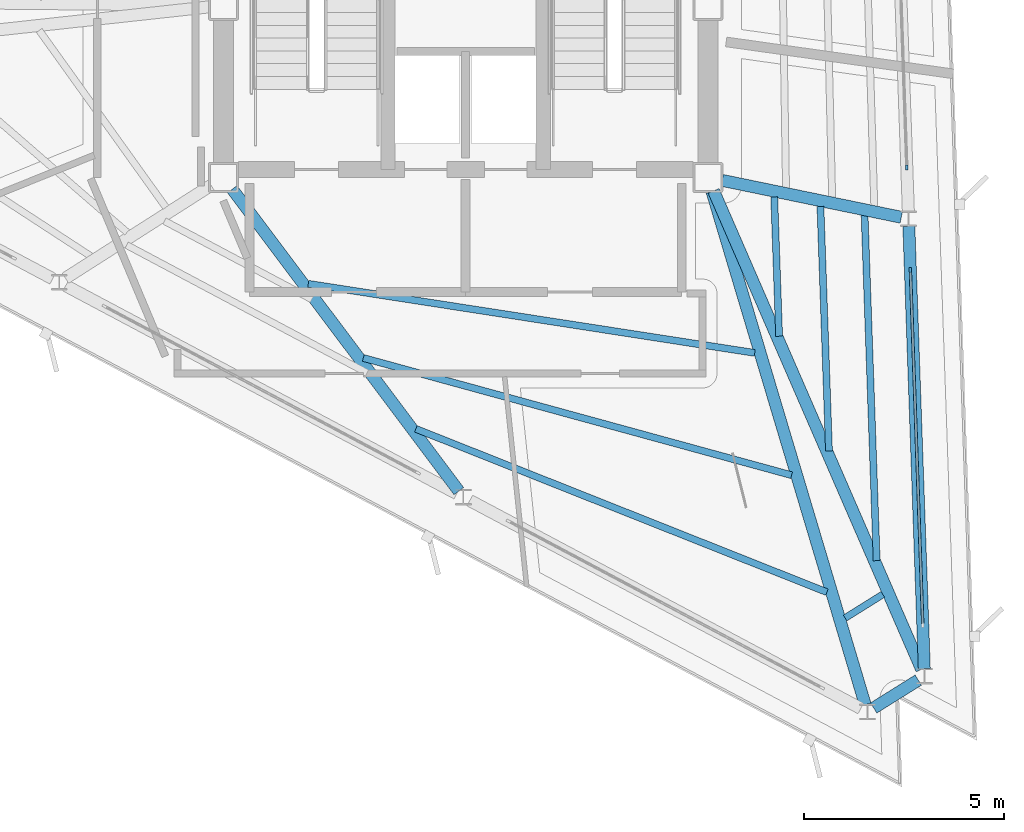
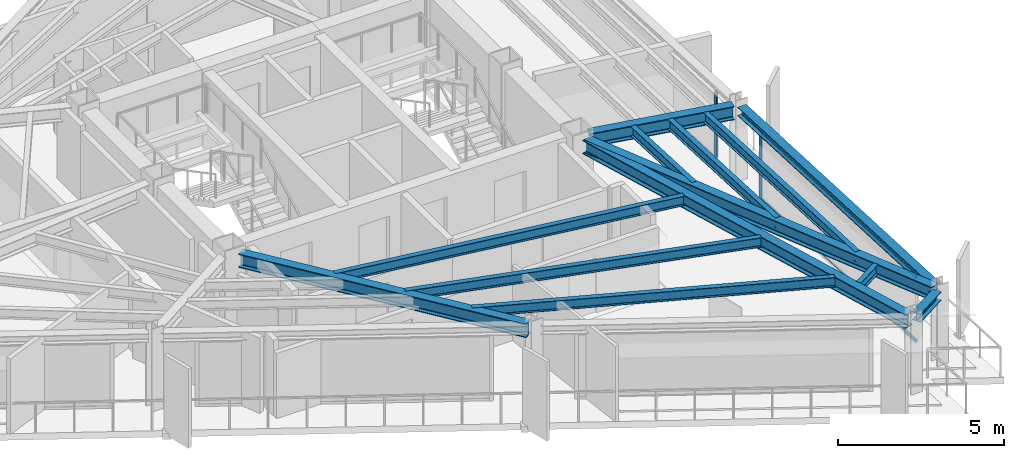
# One storey, part 3 of 13: 13 beams, 4 members, 2 elements without a shape of their own.
"""IFC4 building model written with IfcOpenShell, lengths in metres."""

from ifc_helpers import new_model, si_unit, direction, frame, origin, origin_2d, place, context, subcontext, project, spatial, rectangle, i_section, extrude, material, layer, layer_set, material_profile, profile_set, type_object, element, aggregate, save


model = new_model("IFC4")

# Units and contexts
model_context = context("Model", 3, precision=1e-05, world=origin(), true_north=direction((0.0, 1.0)))
body_context = subcontext(model_context, "Body", "Model", "MODEL_VIEW")
ifc_project = project(units=[si_unit("LENGTHUNIT", "METRE"), si_unit("AREAUNIT", "SQUARE_METRE"), si_unit("VOLUMEUNIT", "CUBIC_METRE"), si_unit("PLANEANGLEUNIT", "RADIAN"), si_unit("MASSUNIT", "GRAM", prefix="KILO")], contexts=[model_context])

# Site, building, storey
site_placement = place(None, origin())
site = spatial("IfcSite", under=ifc_project, at=site_placement, CompositionType="ELEMENT")
building_placement = place(site_placement, origin())
building = spatial("IfcBuilding", under=site, at=building_placement, Name="Rocaltana Carrier Exchange", CompositionType="ELEMENT")
storey_placement = place(building_placement, frame((0.0, 0.0, 202.719970703125)))
storey = spatial("IfcBuildingStorey", under=building, at=storey_placement, Name="L64", CompositionType="ELEMENT", Elevation=202.719970703125)

# Curtain wall, member
ifc_material_1 = material(Name="Aluminium 6063-T6", Category="aluminium")
ifc_layer = layer(ifc_material_1, 0.1201171875)
ifc_layer_set = layer_set([ifc_layer], Name="Aluminium 6063-T6")
curtain_wall_type = type_object("IfcCurtainWallType", Name="High-Altitude Thermal Curtain Wall CW-05", PredefinedType="NOTDEFINED", material=ifc_layer_set)
curtain_wall_1_placement = place(storey_placement, origin())
curtain_wall_1 = element("IfcCurtainWall", 1, at=curtain_wall_1_placement, inside=storey, type_object=curtain_wall_type, Name="L64 CW-05 Run CW-L64-F1S1", PredefinedType="NOTDEFINED")
ifc_material_2 = material(Name="Aluminium 6063-T6", Category="aluminium")
ifc_material_profile_1 = material_profile(ifc_material_2, rectangle(XDim=0.06005859375, YDim=0.1201171875, at=origin_2d()), Name="AL-60X120")
ifc_profile_set_1 = profile_set([ifc_material_profile_1], Name="Aluminium 6063-T6")
member_type_1 = type_object("IfcMemberType", Name="CW-05 Mullion AL-60X120", PredefinedType="MULLION", material=ifc_profile_set_1)
member_1_placement = place(storey_placement, frame((11.11181640625, -6.61279296875, 0.0), z_axis=(0.0, 0.0, 1.0), x_axis=(-0.999390315991, -0.034914127567, 0.0)))
member_1 = element("IfcMember", 2, at=member_1_placement, type_object=member_type_1, Name="CW-05 mullion 2", PredefinedType="MULLION", context=body_context, shape_type="SweptSolid", body=[
    extrude(rectangle(XDim=0.06005859375, YDim=0.1201171875, at=origin_2d()), origin(), (0.0, 0.0, 1.0), 2.447998046875),
])

curtain_wall_2_placement = place(storey_placement, origin())
curtain_wall_2 = element("IfcCurtainWall", 3, at=curtain_wall_2_placement, inside=storey, type_object=curtain_wall_type, Name="L64 CW-05 Run CW-L64-F1S2", PredefinedType="NOTDEFINED")
member_2_placement = place(storey_placement, frame((11.0224609375, -4.054443359375, 0.0), z_axis=(0.0, 0.0, 1.0), x_axis=(-0.999390720156, -0.034902556738, 0.0)))
member_2 = element("IfcMember", 4, at=member_2_placement, type_object=member_type_1, Name="CW-05 mullion 1", PredefinedType="MULLION", context=body_context, shape_type="SweptSolid", body=[
    extrude(rectangle(XDim=0.06005859375, YDim=0.1201171875, at=origin_2d()), origin(), (0.0, 0.0, 1.0), 2.447998046875),
])
aggregate(curtain_wall_2, [member_2])

# Member
ifc_material_3 = material(Name="Aluminium 6063-T6", Category="aluminium")
ifc_material_profile_2 = material_profile(ifc_material_3, rectangle(XDim=0.06005859375, YDim=0.1201171875, at=origin_2d()), Name="AL-60X120")
ifc_profile_set_2 = profile_set([ifc_material_profile_2], Name="Aluminium 6063-T6")
member_type_2 = type_object("IfcMemberType", Name="CW-05 Transom AL-60X120", PredefinedType="USERDEFINED", material=ifc_profile_set_2)
member_3_placement = place(storey_placement, frame((11.420654296875, -15.450927734375, 0.030029296875), z_axis=(-0.034930718371, 0.999389736246, 0.0), x_axis=(-0.999389736246, -0.034930718371, 0.0)))
member_3 = element("IfcMember", 5, at=member_3_placement, type_object=member_type_2, Name="CW-05 transom 1.1", ObjectType="TRANSOM", PredefinedType="USERDEFINED", context=body_context, shape_type="SweptSolid", body=[
    extrude(rectangle(XDim=0.06005859375, YDim=0.1201171875, at=origin_2d()), origin(), (0.0, 0.0, 1.0), 8.8134765625),
])

member_4_placement = place(storey_placement, frame((11.420654296875, -15.450927734375, 2.41796875), z_axis=(-0.034930718371, 0.999389736246, 0.0), x_axis=(-0.999389736246, -0.034930718371, 0.0)))
member_4 = element("IfcMember", 6, at=member_4_placement, type_object=member_type_2, Name="CW-05 transom 1.2", ObjectType="TRANSOM", PredefinedType="USERDEFINED", context=body_context, shape_type="SweptSolid", body=[
    extrude(rectangle(XDim=0.06005859375, YDim=0.1201171875, at=origin_2d()), origin(), (0.0, 0.0, 1.0), 8.8134765625),
])

aggregate(curtain_wall_1, [member_1, member_3, member_4])

# Beams
ifc_material_4 = material(Name="Steel S355", Category="steel")
ifc_material_profile_3 = material_profile(ifc_material_4, i_section(OverallWidth=0.172119140625, OverallDepth=0.35791015625, WebThickness=0.0078125, FlangeThickness=0.01318359375, FilletRadius=0.011962890625, at=origin_2d()), Name="W14X38")
ifc_profile_set_3 = profile_set([ifc_material_profile_3], Name="Steel S355")
beam_type_1 = type_object("IfcBeamType", Name="Floor Joist W14X38", PredefinedType="JOIST", material=ifc_profile_set_3)
beam_1_placement = place(storey_placement, frame((7.83251953125, -8.267822265625, 2.619140625), z_axis=(-0.034956892031, 0.99938882108, 0.0), x_axis=(-0.99938882108, -0.034956892031, 0.0)))
element("IfcBeam", 7, at=beam_1_placement, inside=storey, type_object=beam_type_1, Name="FJ-L64-01-1", PredefinedType="JOIST", context=body_context, shape_type="SweptSolid", body=[
    extrude(i_section(OverallWidth=0.172119140625, OverallDepth=0.35791015625, WebThickness=0.0078125, FlangeThickness=0.01318359375, FilletRadius=0.011962890625, at=origin_2d()), origin(), (0.0, 0.0, 1.0), 3.485107421875),
])
beam_2_placement = place(storey_placement, frame((9.078125, -11.1337890625, 2.619140625), z_axis=(-0.034895437924, 0.999390968747, 0.0), x_axis=(-0.999390968747, -0.034895437924, 0.0)))
element("IfcBeam", 8, at=beam_2_placement, inside=storey, type_object=beam_type_1, Name="FJ-L64-01-2", PredefinedType="JOIST", context=body_context, shape_type="SweptSolid", body=[
    extrude(i_section(OverallWidth=0.172119140625, OverallDepth=0.35791015625, WebThickness=0.0078125, FlangeThickness=0.01318359375, FilletRadius=0.011962890625, at=origin_2d()), origin(), (0.0, 0.0, 1.0), 6.11474609375),
])
beam_3_placement = place(storey_placement, frame((10.269775390625, -13.875, 2.619140625), z_axis=(-0.034909498386, 0.999390477703, 0.0), x_axis=(-0.999390477703, -0.034909498386, 0.0)))
element("IfcBeam", 9, at=beam_3_placement, inside=storey, type_object=beam_type_1, Name="FJ-L64-01-3", PredefinedType="JOIST", context=body_context, shape_type="SweptSolid", body=[
    extrude(i_section(OverallWidth=0.172119140625, OverallDepth=0.35791015625, WebThickness=0.0078125, FlangeThickness=0.01318359375, FilletRadius=0.011962890625, at=origin_2d()), origin(), (0.0, 0.0, 1.0), 8.630126953125),
])
beam_4_placement = place(storey_placement, frame((-3.93017578125, -6.957275390625, 2.619140625), z_axis=(0.98822318651, -0.153019389764, 0.0), x_axis=(0.153019389764, 0.98822318651, 0.0)))
element("IfcBeam", 10, at=beam_4_placement, inside=storey, type_object=beam_type_1, Name="FJ-L64-11-1", PredefinedType="JOIST", context=body_context, shape_type="SweptSolid", body=[
    extrude(i_section(OverallWidth=0.172119140625, OverallDepth=0.35791015625, WebThickness=0.0078125, FlangeThickness=0.01318359375, FilletRadius=0.011962890625, at=origin_2d()), origin(), (0.0, 0.0, 1.0), 11.286376953125),
])
beam_5_placement = place(storey_placement, frame((-2.555419921875, -8.809814453125, 2.619140625), z_axis=(0.96449669157, -0.264094929808, 0.0), x_axis=(0.264094929808, 0.96449669157, 0.0)))
element("IfcBeam", 11, at=beam_5_placement, inside=storey, type_object=beam_type_1, Name="FJ-L64-11-2", PredefinedType="JOIST", context=body_context, shape_type="SweptSolid", body=[
    extrude(i_section(OverallWidth=0.172119140625, OverallDepth=0.35791015625, WebThickness=0.0078125, FlangeThickness=0.01318359375, FilletRadius=0.011962890625, at=origin_2d()), origin(), (0.0, 0.0, 1.0), 11.09326171875),
])
beam_6_placement = place(storey_placement, frame((-1.2421875, -10.581787109375, 2.619140625), z_axis=(0.929319992712, -0.369275440756, 0.0), x_axis=(0.369275440756, 0.929319992712, 0.0)))
element("IfcBeam", 12, at=beam_6_placement, inside=storey, type_object=beam_type_1, Name="FJ-L64-11-3", PredefinedType="JOIST", context=body_context, shape_type="SweptSolid", body=[
    extrude(i_section(OverallWidth=0.172119140625, OverallDepth=0.35791015625, WebThickness=0.0078125, FlangeThickness=0.01318359375, FilletRadius=0.011962890625, at=origin_2d()), origin(), (0.0, 0.0, 1.0), 11.049560546875),
])
beam_7_placement = place(storey_placement, frame((9.481689453125, -15.306640625, 2.619140625), z_axis=(0.847961248571, 0.530058224087, 0.0), x_axis=(-0.530058224087, 0.847961248571, 0.0)))
element("IfcBeam", 13, at=beam_7_placement, inside=storey, type_object=beam_type_1, Name="FJ-L64-12-3", PredefinedType="JOIST", context=body_context, shape_type="SweptSolid", body=[
    extrude(i_section(OverallWidth=0.172119140625, OverallDepth=0.35791015625, WebThickness=0.0078125, FlangeThickness=0.01318359375, FilletRadius=0.011962890625, at=origin_2d()), origin(), (0.0, 0.0, 1.0), 1.110595703125),
])
ifc_material_5 = material(Name="Steel S355", Category="steel")
ifc_material_profile_4 = material_profile(ifc_material_5, i_section(OverallWidth=0.300048828125, OverallDepth=0.320068359375, WebThickness=0.011474609375, FlangeThickness=0.0205078125, FilletRadius=0.027099609375, at=origin_2d()), Name="HEB320")
ifc_profile_set_4 = profile_set([ifc_material_profile_4], Name="Steel S355")
beam_type_2 = type_object("IfcBeamType", Name="Spandrel Edge Beam HEB320", PredefinedType="SPANDREL", material=ifc_profile_set_4)
beam_8_placement = place(storey_placement, frame((11.459716796875, -16.57470703125, 2.637939453125), z_axis=(-0.034891734961, 0.999391098035, 0.0), x_axis=(-0.999391098035, -0.034891734961, 0.0)))
element("IfcBeam", 14, at=beam_8_placement, inside=storey, type_object=beam_type_2, Name="SP-L64-01", PredefinedType="SPANDREL", context=body_context, shape_type="SweptSolid", body=[
    extrude(i_section(OverallWidth=0.300048828125, OverallDepth=0.320068359375, WebThickness=0.011474609375, FlangeThickness=0.0205078125, FilletRadius=0.027099609375, at=origin_2d()), origin(), (0.0, 0.0, 1.0), 11.0625),
])
beam_9_placement = place(storey_placement, frame((10.194580078125, -17.5546875, 2.637939453125), z_axis=(0.848092225117, 0.52984863659, 0.0), x_axis=(-0.52984863659, 0.848092225117, 0.0)))
element("IfcBeam", 15, at=beam_9_placement, inside=storey, type_object=beam_type_2, Name="SP-L64-12", PredefinedType="SPANDREL", context=body_context, shape_type="SweptSolid", body=[
    extrude(i_section(OverallWidth=0.300048828125, OverallDepth=0.320068359375, WebThickness=0.011474609375, FlangeThickness=0.0205078125, FilletRadius=0.027099609375, at=origin_2d()), origin(), (0.0, 0.0, 1.0), 1.314208984375),
])
ifc_material_6 = material(Name="Steel S355", Category="steel")
ifc_material_profile_5 = material_profile(ifc_material_6, i_section(OverallWidth=0.300048828125, OverallDepth=0.5, WebThickness=0.014404296875, FlangeThickness=0.028076171875, FilletRadius=0.027099609375, at=origin_2d()), Name="HEB500")
ifc_profile_set_5 = profile_set([ifc_material_profile_5], Name="Steel S355")
beam_type_3 = type_object("IfcBeamType", Name="Upper Radial Girder HEB500", PredefinedType="BEAM", material=ifc_profile_set_5)
beam_10_placement = place(storey_placement, frame((6.1962890625, -4.63671875, 2.548095703125), z_axis=(0.398663781155, -0.917097153848, 0.0), x_axis=(0.917097153848, 0.398663781155, 0.0)))
element("IfcBeam", 16, at=beam_10_placement, inside=storey, type_object=beam_type_3, Name="RG-L64-01", PredefinedType="BEAM", context=body_context, shape_type="SweptSolid", body=[
    extrude(i_section(OverallWidth=0.300048828125, OverallDepth=0.5, WebThickness=0.014404296875, FlangeThickness=0.028076171875, FilletRadius=0.027099609375, at=origin_2d()), origin(), (0.0, 0.0, 1.0), 13.03369140625),
])
beam_11_placement = place(storey_placement, frame((6.409423828125, -4.3740234375, 2.548095703125), z_axis=(0.979421650588, -0.201824751605, 0.0), x_axis=(0.201824751605, 0.979421650588, 0.0)))
element("IfcBeam", 17, at=beam_11_placement, inside=storey, type_object=beam_type_3, Name="RG-L64-02", PredefinedType="BEAM", context=body_context, shape_type="SweptSolid", body=[
    extrude(i_section(OverallWidth=0.300048828125, OverallDepth=0.5, WebThickness=0.014404296875, FlangeThickness=0.028076171875, FilletRadius=0.027099609375, at=origin_2d()), origin(), (0.0, 0.0, 1.0), 4.570068359375),
])
beam_12_placement = place(storey_placement, frame((-5.82958984375, -4.593505859375, 2.548095703125), z_axis=(0.600207072823, -0.799844653501, 0.0), x_axis=(0.799844653501, 0.600207072823, 0.0)))
element("IfcBeam", 18, at=beam_12_placement, inside=storey, type_object=beam_type_3, Name="RG-L64-11", PredefinedType="BEAM", context=body_context, shape_type="SweptSolid", body=[
    extrude(i_section(OverallWidth=0.300048828125, OverallDepth=0.5, WebThickness=0.014404296875, FlangeThickness=0.028076171875, FilletRadius=0.027099609375, at=origin_2d()), origin(), (0.0, 0.0, 1.0), 9.43115234375),
])
beam_13_placement = place(storey_placement, frame((6.155029296875, -4.651611328125, 2.548095703125), z_axis=(0.286134274896, -0.958189530693, 0.0), x_axis=(0.958189530693, 0.286134274896, 0.0)))
element("IfcBeam", 19, at=beam_13_placement, inside=storey, type_object=beam_type_3, Name="RG-L64-12", PredefinedType="BEAM", context=body_context, shape_type="SweptSolid", body=[
    extrude(i_section(OverallWidth=0.300048828125, OverallDepth=0.5, WebThickness=0.014404296875, FlangeThickness=0.028076171875, FilletRadius=0.027099609375, at=origin_2d()), origin(), (0.0, 0.0, 1.0), 13.383056640625),
])

save(model, "model.ifc")
